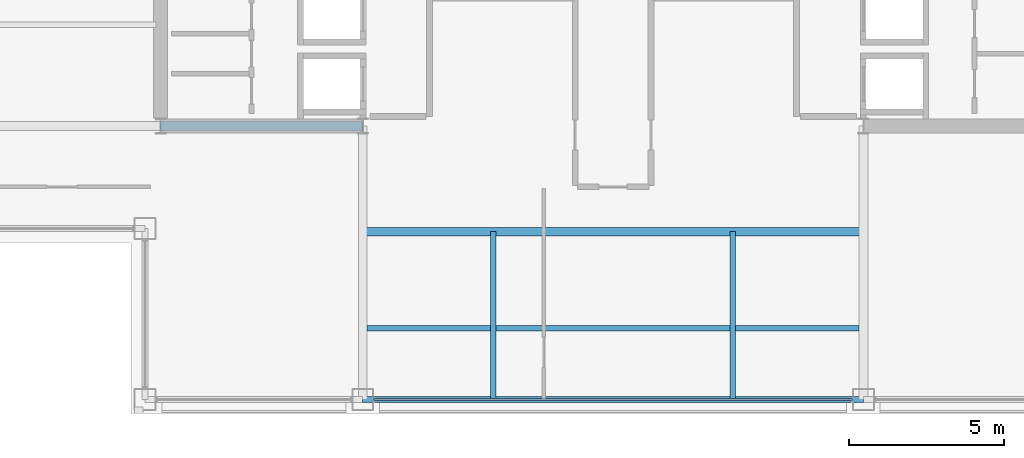
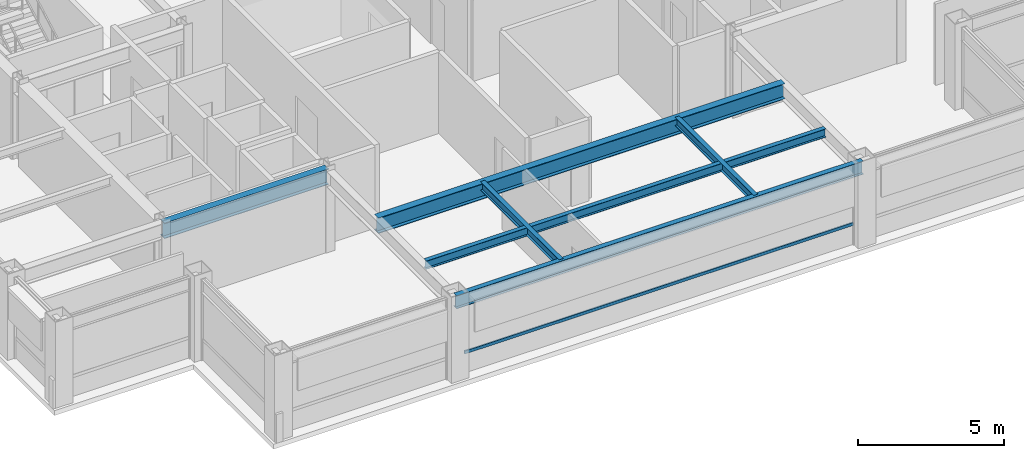
# One storey, part 5 of 26: 6 beams, 1 member, 1 element without a shape of its own.
"""IFC4 building model written with IfcOpenShell, lengths in metres."""

from ifc_helpers import new_model, si_unit, direction, frame, origin, origin_2d, place, context, subcontext, project, spatial, hollow_rectangle, i_section, extrude, material, layer, layer_set, material_profile, profile_set, type_object, element, aggregate, save


model = new_model("IFC4")

# Units and contexts
model_context = context("Model", 3, precision=1e-05, world=origin(), true_north=direction((0.0, 1.0)))
body_context = subcontext(model_context, "Body", "Model", "MODEL_VIEW")
ifc_project = project(units=[si_unit("LENGTHUNIT", "METRE"), si_unit("AREAUNIT", "SQUARE_METRE"), si_unit("VOLUMEUNIT", "CUBIC_METRE"), si_unit("PLANEANGLEUNIT", "RADIAN"), si_unit("MASSUNIT", "GRAM", prefix="KILO")], contexts=[model_context])

# Site, building, storey
site_placement = place(None, origin())
site = spatial("IfcSite", under=ifc_project, at=site_placement, CompositionType="ELEMENT")
building_placement = place(site_placement, origin())
building = spatial("IfcBuilding", under=site, at=building_placement, Name="Brelmoor Portico Tower", CompositionType="ELEMENT")
storey_placement = place(building_placement, frame((0.0, 0.0, 205.5)))
storey = spatial("IfcBuildingStorey", under=building, at=storey_placement, Name="L54", CompositionType="ELEMENT", Elevation=205.5)

# Beams
ifc_material_1 = material(Name="Steel Q355B", Category="steel")
ifc_material_profile_1 = material_profile(ifc_material_1, i_section(OverallWidth=0.175048828125, OverallDepth=0.35009765625, WebThickness=0.007080078125, FlangeThickness=0.010986328125, at=origin_2d()), Name="HN 350x175x7x11")
ifc_profile_set_1 = profile_set([ifc_material_profile_1], Name="Steel Q355B")
beam_type_1 = type_object("IfcBeamType", Name="BM-JS-350", PredefinedType="JOIST", material=ifc_profile_set_1)
for number, where, z_axis, x_axis, name in (
    (1, (-3.85009765625, -18.550048828125, 3.22509765625), (0.0, 1.0, 0.0), (-1.0, 0.0, 0.0), "L54 SW Turbine Deck Edge Beam"),
    (2, (3.85009765625, -18.550048828125, 3.22509765625), (0.0, 1.0, 0.0), (-1.0, 0.0, 0.0), "L54 SE Turbine Deck Edge Beam"),
):
    element("IfcBeam", number, at=place(storey_placement, frame(where, z_axis=z_axis, x_axis=x_axis)), inside=storey, type_object=beam_type_1, Name=name, PredefinedType="JOIST", context=body_context, shape_type="SweptSolid", body=[
        extrude(i_section(OverallWidth=0.175048828125, OverallDepth=0.35009765625, WebThickness=0.007080078125, FlangeThickness=0.010986328125, at=origin_2d()), origin(), (0.0, 0.0, 1.0), 5.400146484375),
    ])
beam_1_placement = place(storey_placement, frame((-7.909912109375, -16.25, 3.22509765625), z_axis=(1.0, 0.0, 0.0), x_axis=(0.0, 1.0, 0.0)))
element("IfcBeam", 3, at=beam_1_placement, inside=storey, type_object=beam_type_1, Name="L54 Secondary Composite Joist JS-C01", PredefinedType="JOIST", context=body_context, shape_type="SweptSolid", body=[
    extrude(i_section(OverallWidth=0.175048828125, OverallDepth=0.35009765625, WebThickness=0.007080078125, FlangeThickness=0.010986328125, at=origin_2d()), origin(), (0.0, 0.0, 1.0), 15.81982421875),
])
ifc_material_profile_2 = material_profile(ifc_material_1, i_section(OverallWidth=0.280029296875, OverallDepth=0.64990234375, WebThickness=0.012939453125, FlangeThickness=0.02197265625, at=origin_2d()), Name="HN 650x280x13x22")
ifc_profile_set_2 = profile_set([ifc_material_profile_2], Name="Steel Q355B")
beam_type_2 = type_object("IfcBeamType", Name="BM-PG-650", PredefinedType="BEAM", material=ifc_profile_set_2)
beam_2_placement = place(storey_placement, frame((-14.550048828125, -9.75, 3.074951171875), z_axis=(1.0, 0.0, 0.0), x_axis=(0.0, 1.0, 0.0)))
element("IfcBeam", 4, at=beam_2_placement, inside=storey, type_object=beam_type_2, Name="L54 Primary Floor Girder PG-12", PredefinedType="BEAM", context=body_context, shape_type="SweptSolid", body=[
    extrude(i_section(OverallWidth=0.280029296875, OverallDepth=0.64990234375, WebThickness=0.012939453125, FlangeThickness=0.02197265625, at=origin_2d()), origin(), (0.0, 0.0, 1.0), 6.5),
])
beam_3_placement = place(storey_placement, frame((-8.050048828125, -13.14990234375, 3.074951171875), z_axis=(1.0, 0.0, 0.0), x_axis=(0.0, 1.0, 0.0)))
element("IfcBeam", 5, at=beam_3_placement, inside=storey, type_object=beam_type_2, Name="L54 South Turbine Deck Header Girder", PredefinedType="BEAM", context=body_context, shape_type="SweptSolid", body=[
    extrude(i_section(OverallWidth=0.280029296875, OverallDepth=0.64990234375, WebThickness=0.012939453125, FlangeThickness=0.02197265625, at=origin_2d()), origin(), (0.0, 0.0, 1.0), 16.10009765625),
])
ifc_material_profile_3 = material_profile(ifc_material_1, i_section(OverallWidth=0.199951171875, OverallDepth=0.550048828125, WebThickness=0.010009765625, FlangeThickness=0.01611328125, at=origin_2d()), Name="HN 550x200x10x16")
ifc_profile_set_3 = profile_set([ifc_material_profile_3], Name="Steel Q355B")
beam_type_3 = type_object("IfcBeamType", Name="BM-SP-550", PredefinedType="SPANDREL", material=ifc_profile_set_3)
beam_4_placement = place(storey_placement, frame((-8.050048828125, -18.550048828125, 3.125), z_axis=(1.0, 0.0, 0.0), x_axis=(0.0, 1.0, 0.0)))
element("IfcBeam", 6, at=beam_4_placement, inside=storey, type_object=beam_type_3, Name="L54 Perimeter Spandrel Beam SP-02", PredefinedType="SPANDREL", context=body_context, shape_type="SweptSolid", body=[
    extrude(i_section(OverallWidth=0.199951171875, OverallDepth=0.550048828125, WebThickness=0.010009765625, FlangeThickness=0.01611328125, at=origin_2d()), origin(), (0.0, 0.0, 1.0), 16.10009765625),
])

# Curtain wall, member
ifc_material_2 = material(Name="Anodised Aluminium Alloy 6063-T6", Category="aluminium")
ifc_layer = layer(ifc_material_2, 0.179931640625)
ifc_layer_set = layer_set([ifc_layer], Name="Anodised Aluminium Alloy 6063-T6")
curtain_wall_type = type_object("IfcCurtainWallType", Name="CW-TOWER-Z3", PredefinedType="NOTDEFINED", material=ifc_layer_set)
curtain_wall_placement = place(storey_placement, origin())
curtain_wall = element("IfcCurtainWall", 7, at=curtain_wall_placement, inside=storey, type_object=curtain_wall_type, Name="L54 Curtain Wall CW-L54-01-2", PredefinedType="NOTDEFINED")
ifc_material_profile_4 = material_profile(ifc_material_2, hollow_rectangle(XDim=0.06005859375, YDim=0.125, WallThickness=0.00341796875, at=origin_2d()), Name="ALU TRANSOM 60x125")
ifc_profile_set_4 = profile_set([ifc_material_profile_4], Name="Anodised Aluminium Alloy 6063-T6")
member_type = type_object("IfcMemberType", Name="MB-CW-TRAN-125", PredefinedType="USERDEFINED", material=ifc_profile_set_4)
member_placement = place(storey_placement, frame((-7.68994140625, -18.550048828125, 0.85009765625), z_axis=(1.0, 0.0, 0.0), x_axis=(0.0, 1.0, 0.0)))
member = element("IfcMember", 8, at=member_placement, type_object=member_type, Name="CW-L54-01-2 Transom 1-00", ObjectType="TRANSOM", PredefinedType="USERDEFINED", context=body_context, shape_type="SweptSolid", body=[
    extrude(hollow_rectangle(XDim=0.06005859375, YDim=0.125, WallThickness=0.00341796875, at=origin_2d()), origin(), (0.0, 0.0, 1.0), 15.3798828125),
])
aggregate(curtain_wall, [member])

save(model, "model.ifc")
